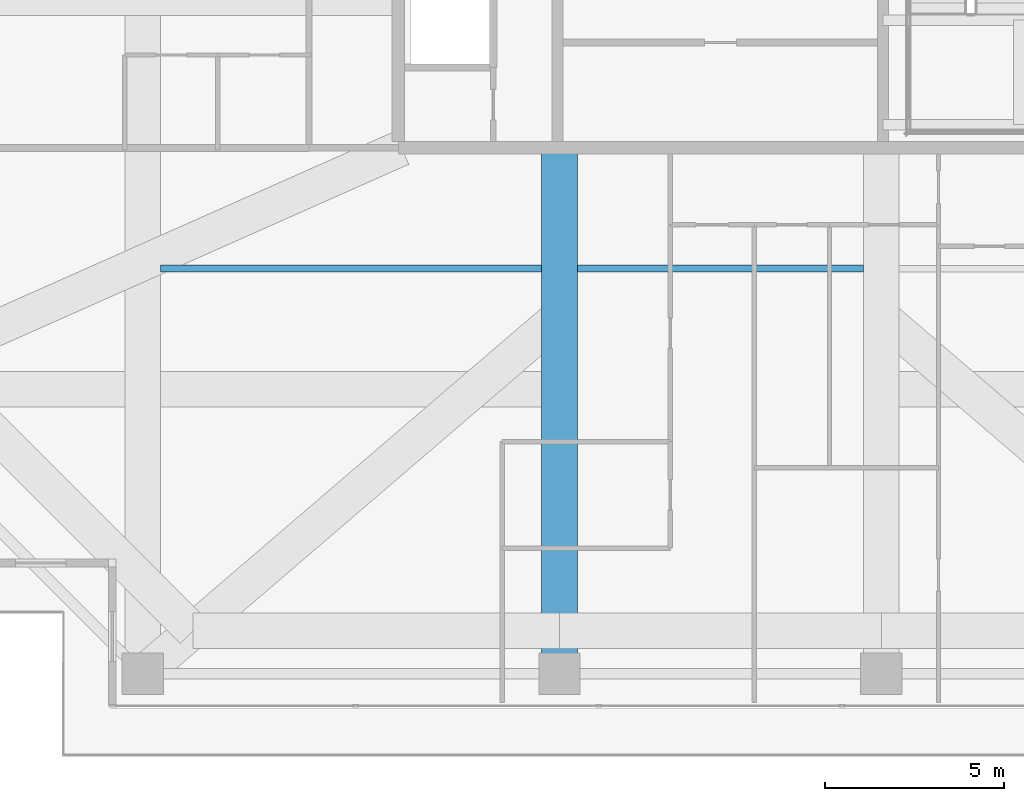
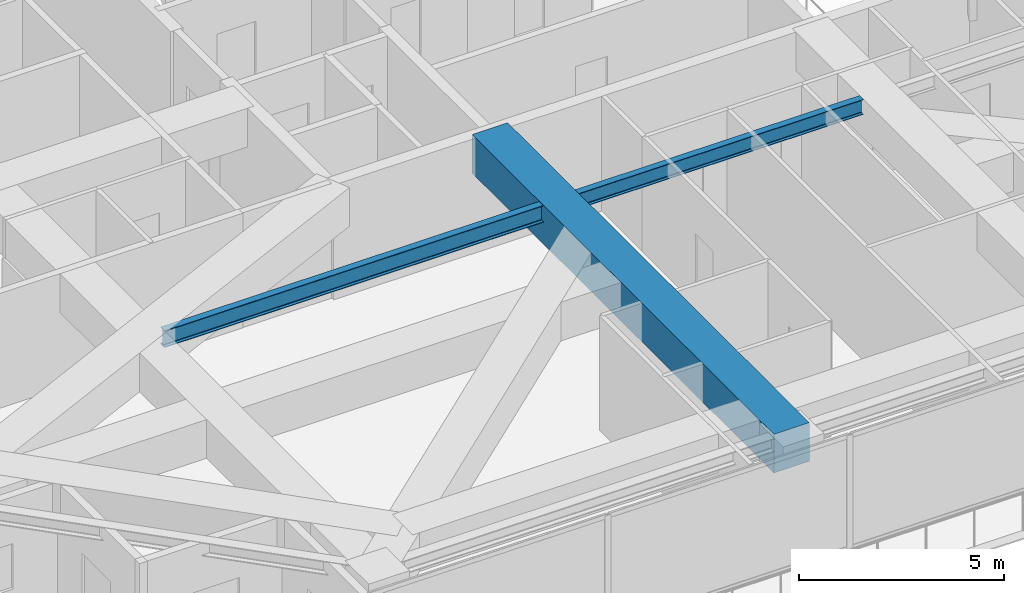
# One storey, part 8 of 39: 3 beams.
"""IFC4 building model written with IfcOpenShell, lengths in metres."""

from ifc_helpers import new_model, si_unit, direction, frame, origin, origin_2d, place, context, subcontext, project, spatial, rectangle, i_section, extrude, source, transform, mapped, material, material_profile, profile_set, type_object, element, save


model = new_model("IFC4")

# Units and contexts
model_context = context("Model", 3, precision=1e-05, world=origin(), true_north=direction((0.0, 1.0)))
body_context = subcontext(model_context, "Body", "Model", "MODEL_VIEW")
ifc_project = project(units=[si_unit("LENGTHUNIT", "METRE"), si_unit("AREAUNIT", "SQUARE_METRE"), si_unit("VOLUMEUNIT", "CUBIC_METRE"), si_unit("PLANEANGLEUNIT", "RADIAN"), si_unit("MASSUNIT", "GRAM", prefix="KILO")], contexts=[model_context])

# Site, building, storey
site_placement = place(None, origin())
site = spatial("IfcSite", under=ifc_project, at=site_placement, CompositionType="ELEMENT")
building_placement = place(site_placement, origin())
building = spatial("IfcBuilding", under=site, at=building_placement, Name="Serunith Strait Residences", CompositionType="ELEMENT")
storey_placement = place(building_placement, frame((0.0, 0.0, 283.60009765625)))
storey = spatial("IfcBuildingStorey", under=building, at=storey_placement, Name="L71", CompositionType="ELEMENT", Elevation=283.60009765625)

# Beams
ifc_material_1 = material(Name="Steel S355J2", Category="steel")
ifc_material_profile_1 = material_profile(ifc_material_1, i_section(OverallWidth=0.18994140625, OverallDepth=0.449951171875, WebThickness=0.009521484375, FlangeThickness=0.0146484375, FilletRadius=0.02099609375, at=origin_2d()), Name="IPE 450")
ifc_profile_set_1 = profile_set([ifc_material_profile_1], Name="Steel S355J2")
beam_type_1 = type_object("IfcBeamType", Name="BM-IPE450", PredefinedType="JOIST", material=ifc_profile_set_1)
shared_shape_1 = source(origin(), body_context, "Body", "SweptSolid", [
    extrude(i_section(OverallWidth=0.18994140625, OverallDepth=0.449951171875, WebThickness=0.009521484375, FlangeThickness=0.0146484375, FilletRadius=0.02099609375, at=origin_2d()), origin(), (0.0, 0.0, 1.0), 8.0),
])
beam_1_placement = place(storey_placement, frame((28.39990234375, 13.425048828125, 3.181884765625), z_axis=(1.0, 0.0, 0.0), x_axis=(0.0, 1.0, 0.0)))
element("IfcBeam", 1, at=beam_1_placement, inside=storey, type_object=beam_type_1, Name="L71 Composite Floor Joist 02", PredefinedType="JOIST", context=body_context, shape_type="MappedRepresentation", body=[
    mapped(shared_shape_1, transform((0.0, 0.0, 0.0), scale=1.0)),
])
ifc_material_2 = material(Name="Concrete C80/95", Category="concrete")
ifc_material_profile_2 = material_profile(ifc_material_2, rectangle(XDim=1.0, YDim=1.14990234375, at=origin_2d()), Name="RC 1000x1150")
ifc_profile_set_2 = profile_set([ifc_material_profile_2], Name="Concrete C80/95")
beam_type_2 = type_object("IfcBeamType", Name="BM-XFER-1000x1150", PredefinedType="BEAM", material=ifc_profile_set_2)
shared_shape_2 = source(origin(), body_context, "Body", "SweptSolid", [
    extrude(rectangle(XDim=1.0, YDim=1.14990234375, at=origin_2d()), origin(), (0.0, 0.0, 1.0), 14.699951171875),
])
beam_2_placement = place(storey_placement, frame((27.89990234375, 16.800048828125, 2.8349609375), z_axis=(0.0, -1.0, 0.0), x_axis=(1.0, 0.0, 0.0)))
element("IfcBeam", 2, at=beam_2_placement, inside=storey, type_object=beam_type_2, Name="L71 Primary Floor Girder TC-S2", PredefinedType="BEAM", context=body_context, shape_type="MappedRepresentation", body=[
    mapped(shared_shape_2, transform((0.0, 0.0, 0.0), scale=1.0)),
])
ifc_material_profile_3 = material_profile(ifc_material_1, i_section(OverallWidth=0.199951171875, OverallDepth=0.5, WebThickness=0.01025390625, FlangeThickness=0.01611328125, FilletRadius=0.02099609375, at=origin_2d()), Name="IPE 500")
ifc_profile_set_3 = profile_set([ifc_material_profile_3], Name="Steel S355J2")
beam_type_3 = type_object("IfcBeamType", Name="BM-IPE500", PredefinedType="JOIST", material=ifc_profile_set_3)
shared_shape_3 = source(origin(), body_context, "Body", "SweptSolid", [
    extrude(i_section(OverallWidth=0.199951171875, OverallDepth=0.5, WebThickness=0.01025390625, FlangeThickness=0.01611328125, FilletRadius=0.02099609375, at=origin_2d()), origin(), (0.0, 0.0, 1.0), 10.64990234375),
])
beam_3_placement = place(storey_placement, frame((16.75, 13.425048828125, 3.156982421875), z_axis=(1.0, 0.0, 0.0), x_axis=(0.0, 1.0, 0.0)))
element("IfcBeam", 3, at=beam_3_placement, inside=storey, type_object=beam_type_3, Name="L71 Composite Floor Joist 01", PredefinedType="JOIST", context=body_context, shape_type="MappedRepresentation", body=[
    mapped(shared_shape_3, transform((0.0, 0.0, 0.0), scale=1.0)),
])

save(model, "model.ifc")
